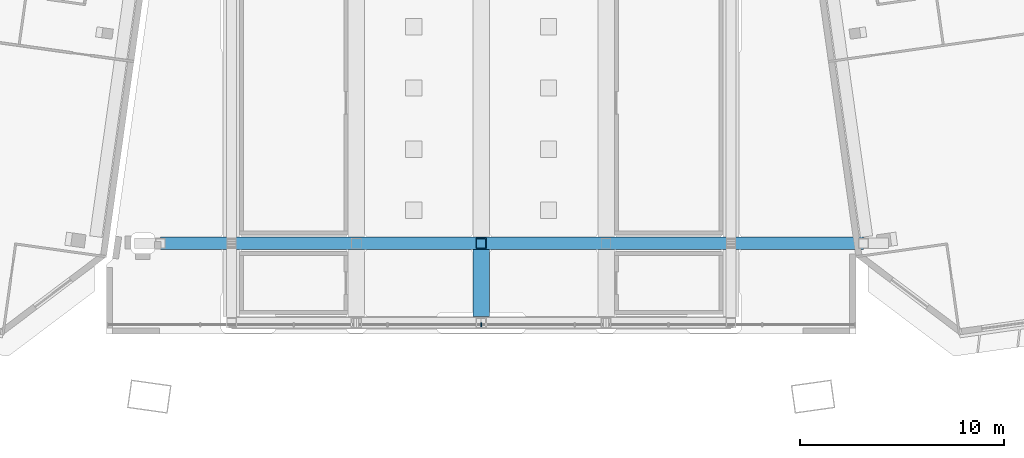
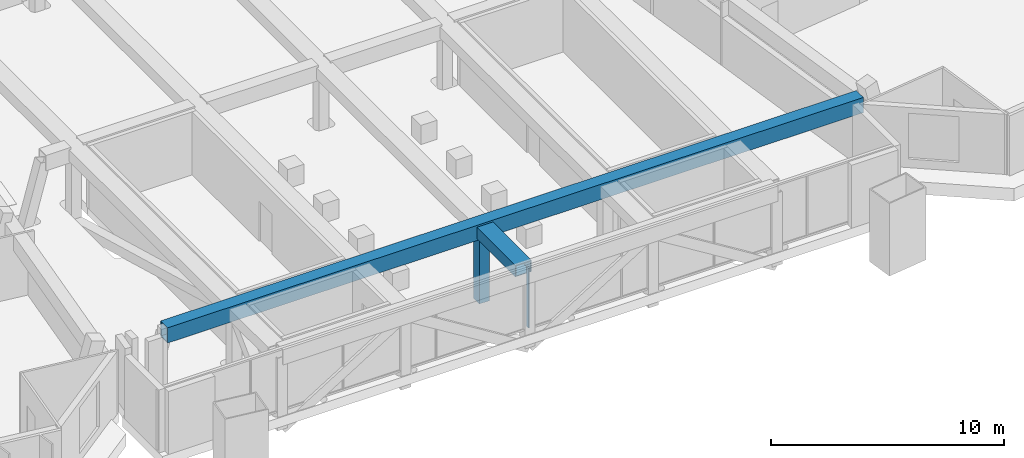
# One storey, part 5 of 30: 4 members, 1 element without a shape of its own.
"""IFC4 building model written with IfcOpenShell, lengths in metres."""

from ifc_helpers import new_model, si_unit, direction, frame, origin, origin_2d, place, context, subcontext, project, spatial, rectangle, hollow_rectangle, extrude, material, material_profile, profile_set, type_object, element, aggregate, save


model = new_model("IFC4")

# Units and contexts
model_context = context("Model", 3, precision=1e-05, world=origin(), true_north=direction((0.0, 1.0)))
body_context = subcontext(model_context, "Body", "Model", "MODEL_VIEW")
ifc_project = project(units=[si_unit("LENGTHUNIT", "METRE"), si_unit("AREAUNIT", "SQUARE_METRE"), si_unit("VOLUMEUNIT", "CUBIC_METRE"), si_unit("PLANEANGLEUNIT", "RADIAN"), si_unit("MASSUNIT", "GRAM", prefix="KILO")], contexts=[model_context])

# Site, building, storey
site_placement = place(None, origin())
site = spatial("IfcSite", under=ifc_project, at=site_placement, CompositionType="ELEMENT")
building_placement = place(site_placement, origin())
building = spatial("IfcBuilding", under=site, at=building_placement, Name="Mirante Cascada Hotel Towers", CompositionType="ELEMENT")
storey_placement = place(building_placement, frame((0.0, 0.0, 258.4)))
storey = spatial("IfcBuildingStorey", under=building, at=storey_placement, Name="L62", CompositionType="ELEMENT", Elevation=258.4)

# Members
ifc_material_1 = material(Name="Steel ASTM A572 Gr 50", Category="steel")
ifc_material_profile_1 = material_profile(ifc_material_1, hollow_rectangle(XDim=0.6, YDim=0.8, WallThickness=0.04, at=origin_2d()), Name="Box chord 800x600x40 ASTM A572 Gr 50")
ifc_profile_set_1 = profile_set([ifc_material_profile_1], Name="Steel ASTM A572 Gr 50")
member_type_1 = type_object("IfcMemberType", Name="Box chord 800x600x40 ASTM A572 Gr 50", PredefinedType="CHORD", material=ifc_profile_set_1)
member_1_placement = place(storey_placement, frame((0.0, -21.2153, 2.9), z_axis=(0.0, 1.0, 0.0), x_axis=(0.0, 0.0, 1.0)))
element("IfcMember", 1, at=member_1_placement, inside=storey, type_object=member_type_1, Name="dchord sky park L63 9", PredefinedType="CHORD", context=body_context, shape_type="SweptSolid", body=[
    extrude(hollow_rectangle(XDim=0.6, YDim=0.8, WallThickness=0.04, at=origin_2d()), origin(), (0.0, 0.0, 1.0), 3.3),
])
member_2_placement = place(storey_placement, frame((-15.7223, -17.6153, 2.9), z_axis=(1.0, 0.0, 0.0), x_axis=(0.0, 1.0, 0.0)))
element("IfcMember", 2, at=member_2_placement, inside=storey, type_object=member_type_1, Name="dchord sky park L63 21", PredefinedType="CHORD", context=body_context, shape_type="SweptSolid", body=[
    extrude(hollow_rectangle(XDim=0.6, YDim=0.8, WallThickness=0.04, at=origin_2d()), origin(), (0.0, 0.0, 1.0), 34.4662),
])
ifc_material_2 = material(Name="Steel ASTM A572 Gr 50", Category="steel")
ifc_material_profile_2 = material_profile(ifc_material_2, hollow_rectangle(XDim=0.5, YDim=0.5, WallThickness=0.03, at=origin_2d()), Name="Box post 500x500x30 ASTM A572 Gr 50")
ifc_profile_set_2 = profile_set([ifc_material_profile_2], Name="Steel ASTM A572 Gr 50")
member_type_2 = type_object("IfcMemberType", Name="Box post 500x500x30 ASTM A572 Gr 50", PredefinedType="POST", material=ifc_profile_set_2)
member_3_placement = place(storey_placement, frame((0.0, -17.6153, -0.9), z_axis=(0.0, 0.0, 1.0), x_axis=(1.0, 0.0, 0.0)))
element("IfcMember", 3, at=member_3_placement, inside=storey, type_object=member_type_2, Name="dpost sky park L62 16", PredefinedType="POST", context=body_context, shape_type="SweptSolid", body=[
    extrude(hollow_rectangle(XDim=0.5, YDim=0.5, WallThickness=0.03, at=origin_2d()), origin(), (0.0, 0.0, 1.0), 3.8),
])

# Curtain wall, member
ifc_material_3 = material(Name="Aluminium mullion and transom frame with clear laminated glass", Category="aluminium")
curtain_wall_type = type_object("IfcCurtainWallType", Name="Sky park deck curtain wall ECW5", PredefinedType="NOTDEFINED", material=ifc_material_3)
curtain_wall_placement = place(storey_placement, origin())
curtain_wall = element("IfcCurtainWall", 4, at=curtain_wall_placement, inside=storey, type_object=curtain_wall_type, Name="Sky park glazing L62 run 1", PredefinedType="NOTDEFINED")
ifc_material_4 = material(Name="Anodised aluminium extrusion", Category="aluminium")
ifc_material_profile_3 = material_profile(ifc_material_4, rectangle(XDim=0.18, YDim=0.06, at=origin_2d()), Name="ECW5 MULLION 60x180")
ifc_profile_set_3 = profile_set([ifc_material_profile_3], Name="Anodised aluminium extrusion")
member_type_3 = type_object("IfcMemberType", Name="ECW5 mullion 60x180", PredefinedType="MULLION", material=ifc_profile_set_3)
member_4_placement = place(storey_placement, frame((0.0, -21.6089, 0.09), z_axis=(0.0, 0.0, 1.0), x_axis=(0.0, 1.0, 0.0)))
member_4 = element("IfcMember", 5, at=member_4_placement, type_object=member_type_3, Name="ECW5 mullion 5", PredefinedType="MULLION", context=body_context, shape_type="SweptSolid", body=[
    extrude(rectangle(XDim=0.18, YDim=0.06, at=origin_2d()), origin(), (0.0, 0.0, 1.0), 3.12),
])
aggregate(curtain_wall, [member_4])

save(model, "model.ifc")
